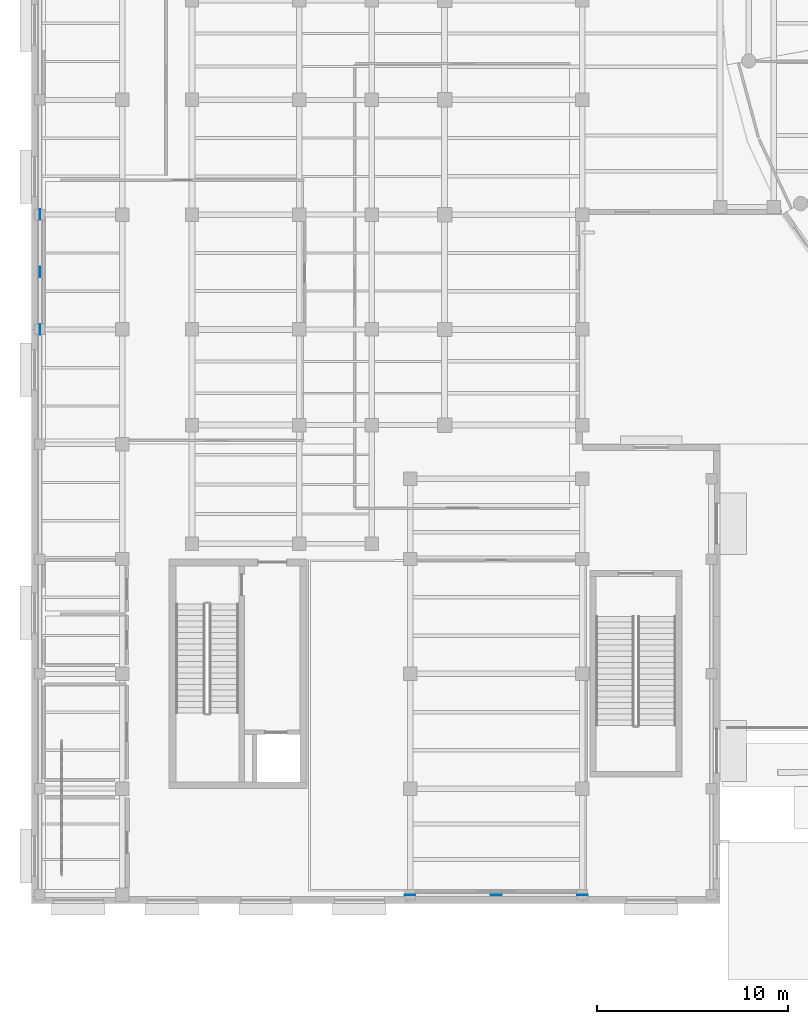
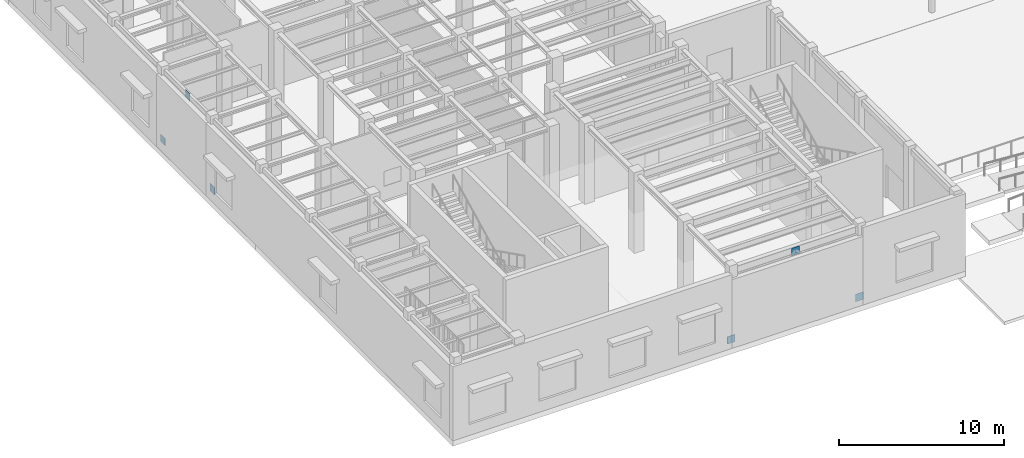
# One storey, part 83 of 118: 6 plates.
"""IFC4 building model written with IfcOpenShell, lengths in metres."""

from ifc_helpers import new_model, si_unit, direction, frame, origin, origin_2d, place, context, subcontext, project, spatial, rectangle, extrude, material, layer, layer_set, type_object, element, save


model = new_model("IFC4")

# Units and contexts
model_context = context("Model", 3, precision=1e-05, world=origin(), true_north=direction((0.0, 1.0)))
body_context = subcontext(model_context, "Body", "Model", "MODEL_VIEW")
ifc_project = project(units=[si_unit("LENGTHUNIT", "METRE"), si_unit("AREAUNIT", "SQUARE_METRE"), si_unit("VOLUMEUNIT", "CUBIC_METRE"), si_unit("PLANEANGLEUNIT", "RADIAN"), si_unit("MASSUNIT", "GRAM", prefix="KILO")], contexts=[model_context])

# Site, building, storey
site_placement = place(None, origin())
site = spatial("IfcSite", under=ifc_project, at=site_placement, CompositionType="ELEMENT")
building_placement = place(site_placement, origin())
building = spatial("IfcBuilding", under=site, at=building_placement, Name="Kolvaren Corner Interchange", CompositionType="ELEMENT")
storey_placement = place(building_placement, origin())
storey = spatial("IfcBuildingStorey", under=building, at=storey_placement, Name="L01", CompositionType="ELEMENT", Elevation=0.0)

# Plates
ifc_material = material(Name="Steel S355", Category="steel")
ifc_layer = layer(ifc_material, 0.02490234375)
ifc_layer_set = layer_set([ifc_layer], Name="Steel S355")
plate_type = type_object("IfcPlateType", Name="PL-GUSSET-25", PredefinedType="USERDEFINED", material=ifc_layer_set)
for number, where, z_axis, x_axis, name in (
    (1, (19.800048828125, 0.449951171875, 0.06494140625), (0.0, 0.0, 1.0), (1.0, 0.0, 0.0), "Storey L01 Bolted Steel Gusset Plate 01 Base Left"),
    (2, (28.800048828125, 0.449951171875, 0.06494140625), (0.0, 0.0, 1.0), (1.0, 0.0, 0.0), "Storey L01 Bolted Steel Gusset Plate 01 Base Right"),
    (3, (24.300048828125, 0.449951171875, 5.05517578125), (0.0, 0.0, 1.0), (1.0, 0.0, 0.0), "Storey L01 Bolted Steel Gusset Plate 01 Apex"),
    (4, (0.449951171875, 30.0, 0.06494140625), (0.0, 0.0, 1.0), (0.0, 1.0, 0.0), "Storey L01 Bolted Steel Gusset Plate 06 Base Left"),
    (5, (0.449951171875, 36.0, 0.06494140625), (0.0, 0.0, 1.0), (0.0, 1.0, 0.0), "Storey L01 Bolted Steel Gusset Plate 06 Base Right"),
    (6, (0.449951171875, 33.0, 5.2001953125), (0.0, 0.0, 1.0), (0.0, 1.0, 0.0), "Storey L01 Bolted Steel Gusset Plate 06 Apex"),
):
    element("IfcPlate", number, at=place(storey_placement, frame(where, z_axis=z_axis, x_axis=x_axis)), inside=storey, type_object=plate_type, Name=name, ObjectType="GUSSET PLATE", PredefinedType="USERDEFINED", context=body_context, shape_type="SweptSolid", body=[
        extrude(rectangle(XDim=0.550048828125, YDim=0.02490234375, at=origin_2d()), origin(), (0.0, 0.0, 1.0), 0.550048828125),
    ])

save(model, "model.ifc")
